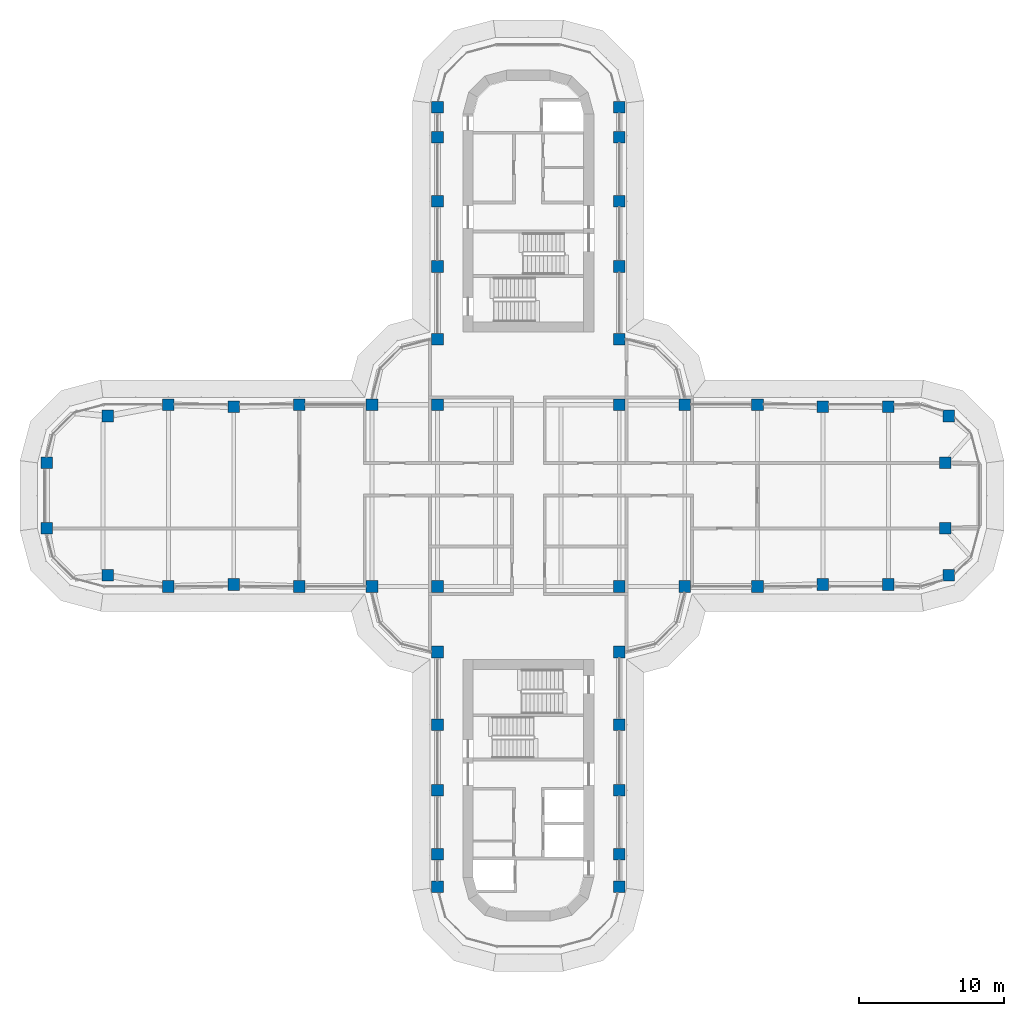
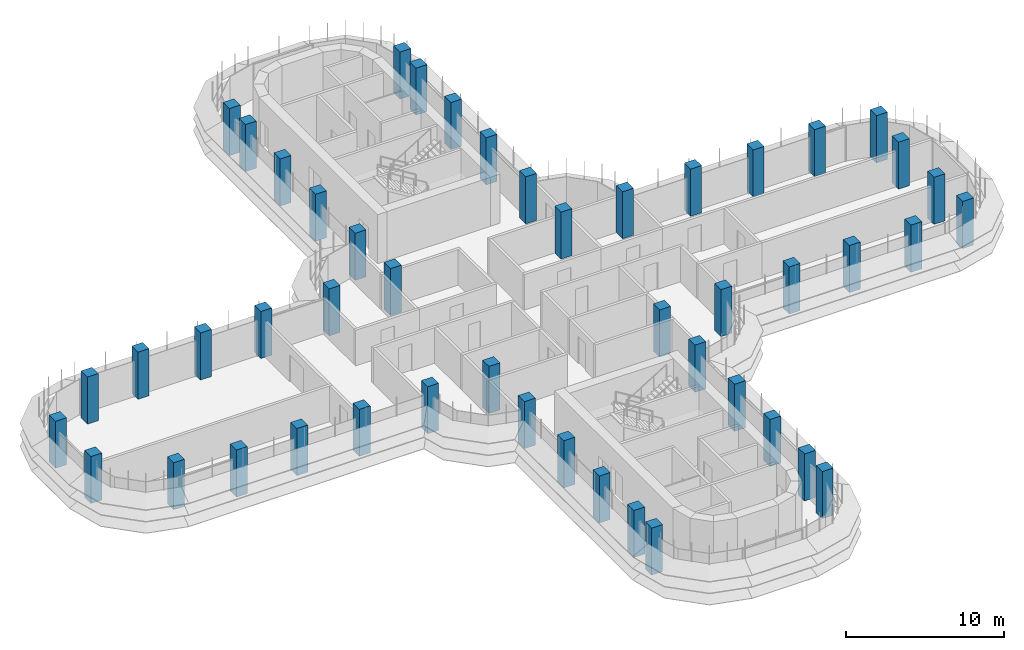
# One storey, part 1 of 19: 48 columns.
"""IFC4 building model written with IfcOpenShell, lengths in metres."""

import ifcopenshell
import ifcopenshell.guid

model = None  # the IFC model being written
_history = None  # IfcOwnerHistory: only IFC2X3 demands one
_inside = {}  # id of a spatial element -> (the spatial element, [elements in it])
_under = {}  # id of a project, library or spatial element -> (it, [spatial elements below it])
_declared = {}  # id of a project -> (the project, [libraries it declares])
_typed = {}  # id of a type object -> (the type object, [elements of that type])
_made_of = {}  # id of a material, layer set ... -> (it, [elements and type objects made of it])


def new_model(schema):
    """Start an empty IFC model of exactly this schema.

    Asked for "IFC4X3", IfcOpenShell would pick the latest addendum, in which some entities
    have other attributes; the version numbers below select the first issue.
    IFC2X3 requires an IfcOwnerHistory on every rooted entity: one is made here for all.
    """
    global model, _history
    if schema == "IFC4X3":
        model = ifcopenshell.file(schema_version=(4, 3, 0, 0))
    else:
        model = ifcopenshell.file(schema=schema)
    _inside.clear()
    _under.clear()
    _declared.clear()
    _typed.clear()
    _made_of.clear()
    _history = None
    if model.schema == "IFC2X3":
        org = make("IfcOrganization", Name="unknown")
        user = make(
            "IfcPersonAndOrganization",
            ThePerson=make("IfcPerson", FamilyName="unknown"),
            TheOrganization=org,
        )
        app = make(
            "IfcApplication",
            ApplicationDeveloper=org,
            Version="unknown",
            ApplicationFullName="unknown",
            ApplicationIdentifier="unknown",
        )
        _history = make(
            "IfcOwnerHistory",
            OwningUser=user,
            OwningApplication=app,
            ChangeAction="ADDED",
            CreationDate=0,
        )
    return model


def make(cls, **values):
    """One entity of the class cls with the attributes given. An attribute that is None is left unset."""
    return model.create_entity(
        cls, **{name: value for name, value in values.items() if value is not None}
    )


def rooted(cls, **values):
    """An entity with a GlobalId (a new one), such as an element, a storey or a relation."""
    return make(cls, GlobalId=ifcopenshell.guid.new(), OwnerHistory=_history, **values)


def si_unit(unit_type, name, prefix=None):
    """IfcSIUnit, for example si_unit("LENGTHUNIT", "METRE", prefix="MILLI")."""
    return make("IfcSIUnit", UnitType=unit_type, Prefix=prefix, Name=name)


def assignment(units):
    """IfcUnitAssignment: the units of a project."""
    return None if units is None else make("IfcUnitAssignment", Units=units)


def point(xyz):
    """IfcCartesianPoint."""
    return None if xyz is None else make("IfcCartesianPoint", Coordinates=xyz)


def direction(xyz):
    """IfcDirection."""
    return None if xyz is None else make("IfcDirection", DirectionRatios=xyz)


def frame(location, z_axis=None, x_axis=None):
    """IfcAxis2Placement3D, a coordinate frame: its origin and axes. An axis left out is left unset."""
    return make(
        "IfcAxis2Placement3D",
        Location=point(location),
        Axis=direction(z_axis),
        RefDirection=direction(x_axis),
    )


def frame_2d(location, x_axis=None):
    """IfcAxis2Placement2D, a coordinate frame in the plane: its origin and x axis."""
    return make(
        "IfcAxis2Placement2D", Location=point(location), RefDirection=direction(x_axis)
    )


def origin():
    """The frame at (0, 0, 0) with its axes left unset."""
    return frame((0.0, 0.0, 0.0))


def origin_2d():
    """The frame at (0, 0) in the plane with its x axis left unset."""
    return frame_2d((0.0, 0.0))


def place(relative_to, where):
    """IfcLocalPlacement: puts the frame where relative to a parent placement (None: the world)."""
    return make(
        "IfcLocalPlacement", PlacementRelTo=relative_to, RelativePlacement=where
    )


def context(
    kind, dimensions, precision=None, world=None, true_north=None, identifier=None
):
    """IfcGeometricRepresentationContext, for example the 3D "Model" context."""
    return make(
        "IfcGeometricRepresentationContext",
        ContextIdentifier=identifier,
        ContextType=kind,
        CoordinateSpaceDimension=dimensions,
        Precision=precision,
        WorldCoordinateSystem=world,
        TrueNorth=true_north,
    )


def subcontext(parent, identifier, kind, view, scale=None):
    """IfcGeometricRepresentationSubContext, for example "Body" below "Model"."""
    return make(
        "IfcGeometricRepresentationSubContext",
        ContextIdentifier=identifier,
        ContextType=kind,
        ParentContext=parent,
        TargetScale=scale,
        TargetView=view,
    )


def project(units=None, contexts=None):
    """IfcProject with its units and contexts."""
    return rooted(
        "IfcProject",
        Name="project",
        RepresentationContexts=contexts,
        UnitsInContext=assignment(units),
    )


def spatial(cls, under=None, at=None, **own):
    """A site, building, storey or space (cls), placed at a placement, below another one or the project."""
    s = rooted(cls, ObjectPlacement=at, **own)
    if under is not None:
        _under.setdefault(under.id(), (under, []))[1].append(s)
    return s


def profile(cls, at=None, kind="AREA", **sizes):
    """A parametric profile (cls). Its sizes go by their IFC names, for example OverallWidth=200.0."""
    return make(cls, ProfileType=kind, Position=at, **sizes)


def rectangle(**sizes):
    """IfcRectangleProfileDef."""
    return profile("IfcRectangleProfileDef", **sizes)


def extrude(swept, where, along, depth):
    """IfcExtrudedAreaSolid: the profile swept, set in the frame where, extruded along a direction by depth."""
    return make(
        "IfcExtrudedAreaSolid",
        SweptArea=swept,
        Position=where,
        ExtrudedDirection=direction(along),
        Depth=depth,
    )


def shape(context_of_items, identifier, shape_type, items):
    """IfcShapeRepresentation: the items that make up one representation, for example the "Body"."""
    return make(
        "IfcShapeRepresentation",
        ContextOfItems=context_of_items,
        RepresentationIdentifier=identifier,
        RepresentationType=shape_type,
        Items=items,
    )


def material(Name=None, Category=None):
    """IfcMaterial."""
    return make("IfcMaterial", Name=Name, Category=Category)


def material_profile(
    of_material, cross_section, Name=None, Category=None, Priority=None
):
    """IfcMaterialProfile: a cross section and its material."""
    return make(
        "IfcMaterialProfile",
        Name=Name,
        Material=of_material,
        Profile=cross_section,
        Priority=Priority,
        Category=Category,
    )


def profile_set(profiles, Name=None, composite=None):
    """IfcMaterialProfileSet."""
    return make(
        "IfcMaterialProfileSet",
        Name=Name,
        MaterialProfiles=profiles,
        CompositeProfile=composite,
    )


def made_of(thing, what):
    """Note that an element or type object is made of a material, layer set ...; save() writes the relation."""
    if what is not None:
        _made_of.setdefault(what.id(), (what, []))[1].append(thing)
    return thing


def type_object(cls, material=None, **own):
    """A type object (cls), such as IfcWallType, which elements share."""
    return made_of(rooted(cls, **own), material)


def element(
    cls,
    number,
    at=None,
    inside=None,
    cuts=None,
    type_object=None,
    material=None,
    context=None,
    identifier="Body",
    shape_type=None,
    held_by="IfcProductDefinitionShape",
    body=None,
    shapes=None,
    **own,
):
    """One element of the class cls, such as IfcWall. Its Tag is "e" and its number.

    at: its placement. inside: the storey or other place that contains it. cuts: it is an
    opening in that element (IfcRelVoidsElement). A single representation is given by context,
    identifier, shape_type and body (its items); several are given by shapes. held_by: the class
    of the entity that holds the representations. save() writes the other relations.
    """
    e = rooted(cls, Tag="e%d" % number, ObjectPlacement=at, **own)
    if body is not None:
        shapes = [shape(context, identifier, shape_type, body)]
    if shapes is not None:
        e.Representation = make(held_by, Representations=shapes)
    if inside is not None:
        _inside.setdefault(inside.id(), (inside, []))[1].append(e)
    if cuts is not None:
        rooted(
            "IfcRelVoidsElement", RelatingBuildingElement=cuts, RelatedOpeningElement=e
        )
    if type_object is not None:
        _typed.setdefault(type_object.id(), (type_object, []))[1].append(e)
    return made_of(e, material)


def aggregate(whole, parts):
    """IfcRelAggregates: a whole, such as a stair, and the parts it consists of."""
    return rooted("IfcRelAggregates", RelatingObject=whole, RelatedObjects=parts)


def save(model, path):
    """Write the relations noted so far, then the file.

    IfcRelAggregates (storeys below a building ...), IfcRelContainedInSpatialStructure (elements
    in a storey), IfcRelDefinesByType, IfcRelAssociatesMaterial and IfcRelDeclares: one each for
    every whole, place, type object, material and project.
    """
    for whole, parts in _under.values():
        aggregate(whole, parts)
    for where, things in _inside.values():
        rooted(
            "IfcRelContainedInSpatialStructure",
            RelatedElements=things,
            RelatingStructure=where,
        )
    for kind, things in _typed.values():
        rooted("IfcRelDefinesByType", RelatedObjects=things, RelatingType=kind)
    for what, things in _made_of.values():
        rooted("IfcRelAssociatesMaterial", RelatedObjects=things, RelatingMaterial=what)
    for by, libraries in _declared.values():
        rooted("IfcRelDeclares", RelatingContext=by, RelatedDefinitions=libraries)
    model.write(path)


model = new_model("IFC4")

# Units and contexts
model_context = context("Model", 3, precision=1e-05, world=origin(), true_north=direction((0.0, 1.0)))
body_context = subcontext(model_context, "Body", "Model", "MODEL_VIEW")
ifc_project = project(units=[si_unit("LENGTHUNIT", "METRE"), si_unit("AREAUNIT", "SQUARE_METRE"), si_unit("VOLUMEUNIT", "CUBIC_METRE"), si_unit("PLANEANGLEUNIT", "RADIAN"), si_unit("MASSUNIT", "GRAM", prefix="KILO")], contexts=[model_context])

# Site, building, storey
site_placement = place(None, origin())
site = spatial("IfcSite", under=ifc_project, at=site_placement, CompositionType="ELEMENT")
building_placement = place(site_placement, origin())
building = spatial("IfcBuilding", under=site, at=building_placement, Name="Zarbagh Exchange Tower", CompositionType="ELEMENT")
storey_placement = place(building_placement, frame((0.0, 0.0, 182.800048828125)))
storey = spatial("IfcBuildingStorey", under=building, at=storey_placement, Name="L44", CompositionType="ELEMENT", Elevation=182.800048828125)

# Columns
ifc_material = material(Name="Concrete C50/60", Category="concrete")
ifc_material_profile = material_profile(ifc_material, rectangle(XDim=0.800048828125, YDim=0.800048828125, at=origin_2d()), Name="RC column 800 x 800 C50/60")
ifc_profile_set = profile_set([ifc_material_profile], Name="Concrete C50/60")
column_type = type_object("IfcColumnType", Name="RC column 800 x 800 C50/60", PredefinedType="COLUMN", material=ifc_profile_set)
for number, where, z_axis, x_axis, name in (
    (1, (-33.110107421875, -2.25, 0.0), (0.0, 0.0, 1.0), (1.0, 0.0, 0.0), "C4 10/S"),
    (2, (-33.110107421875, 2.25, 0.0), (0.0, 0.0, 1.0), (1.0, 0.0, 0.0), "C4 10/T"),
    (3, (-28.907958984375, -5.47509765625, 0.0), (0.0, 0.0, 1.0), (1.0, 0.0, 0.0), "C4 11/R"),
    (4, (-28.907958984375, 5.47509765625, 0.0), (0.0, 0.0, 1.0), (1.0, 0.0, 0.0), "C4 11/U"),
    (5, (-24.75, -6.25, 0.0), (0.0, 0.0, 1.0), (1.0, 0.0, 0.0), "C4 12/R"),
    (6, (-24.75, 6.25, 0.0), (0.0, 0.0, 1.0), (1.0, 0.0, 0.0), "C4 12/U"),
    (7, (-20.25, -6.110107421875, 0.0), (0.0, 0.0, 1.0), (1.0, 0.0, 0.0), "C4 13/R"),
    (8, (-20.25, 6.110107421875, 0.0), (0.0, 0.0, 1.0), (1.0, 0.0, 0.0), "C4 13/U"),
    (9, (-15.75, -6.25, 0.0), (0.0, 0.0, 1.0), (1.0, 0.0, 0.0), "C4 14/R"),
    (10, (-15.75, 6.25, 0.0), (0.0, 0.0, 1.0), (1.0, 0.0, 0.0), "C4 14/U"),
    (11, (-10.75, -6.25, 0.0), (0.0, 0.0, 1.0), (1.0, 0.0, 0.0), "C4 15/R"),
    (12, (-10.75, 6.25, 0.0), (0.0, 0.0, 1.0), (1.0, 0.0, 0.0), "C4 15/U"),
    (13, (-6.25, -26.89990234375, 0.0), (0.0, 0.0, 1.0), (1.0, 0.0, 0.0), "C4 16/L"),
    (14, (-6.25, -24.64990234375, 0.0), (0.0, 0.0, 1.0), (1.0, 0.0, 0.0), "C4 16/M"),
    (15, (-6.25, -20.25, 0.0), (0.0, 0.0, 1.0), (1.0, 0.0, 0.0), "C4 16/N"),
    (16, (-6.25, -15.75, 0.0), (0.0, 0.0, 1.0), (1.0, 0.0, 0.0), "C4 16/P"),
    (17, (-6.25, -10.75, 0.0), (0.0, 0.0, 1.0), (1.0, 0.0, 0.0), "C4 16/Q"),
    (18, (-6.25, -6.25, 0.0), (0.0, 0.0, 1.0), (1.0, 0.0, 0.0), "C4 16/R"),
    (19, (-6.25, 6.25, 0.0), (0.0, 0.0, 1.0), (1.0, 0.0, 0.0), "C4 16/U"),
    (20, (-6.25, 10.75, 0.0), (0.0, 0.0, 1.0), (1.0, 0.0, 0.0), "C4 16/V"),
    (21, (-6.25, 15.75, 0.0), (0.0, 0.0, 1.0), (1.0, 0.0, 0.0), "C4 16/W"),
    (22, (-6.25, 20.25, 0.0), (0.0, 0.0, 1.0), (1.0, 0.0, 0.0), "C4 16/X"),
    (23, (-6.25, 24.64990234375, 0.0), (0.0, 0.0, 1.0), (1.0, 0.0, 0.0), "C4 16/Y"),
    (24, (-6.25, 26.699951171875, 0.0), (0.0, 0.0, 1.0), (1.0, 0.0, 0.0), "C4 16/Z"),
    (25, (6.25, -26.89990234375, 0.0), (0.0, 0.0, 1.0), (1.0, 0.0, 0.0), "C4 19/L"),
    (26, (6.25, -24.64990234375, 0.0), (0.0, 0.0, 1.0), (1.0, 0.0, 0.0), "C4 19/M"),
    (27, (6.25, -20.25, 0.0), (0.0, 0.0, 1.0), (1.0, 0.0, 0.0), "C4 19/N"),
    (28, (6.25, -15.75, 0.0), (0.0, 0.0, 1.0), (1.0, 0.0, 0.0), "C4 19/P"),
    (29, (6.25, -10.75, 0.0), (0.0, 0.0, 1.0), (1.0, 0.0, 0.0), "C4 19/Q"),
    (30, (6.25, -6.25, 0.0), (0.0, 0.0, 1.0), (1.0, 0.0, 0.0), "C4 19/R"),
    (31, (6.25, 6.25, 0.0), (0.0, 0.0, 1.0), (1.0, 0.0, 0.0), "C4 19/U"),
    (32, (6.25, 10.75, 0.0), (0.0, 0.0, 1.0), (1.0, 0.0, 0.0), "C4 19/V"),
    (33, (6.25, 15.75, 0.0), (0.0, 0.0, 1.0), (1.0, 0.0, 0.0), "C4 19/W"),
    (34, (6.25, 20.25, 0.0), (0.0, 0.0, 1.0), (1.0, 0.0, 0.0), "C4 19/X"),
    (35, (6.25, 24.64990234375, 0.0), (0.0, 0.0, 1.0), (1.0, 0.0, 0.0), "C4 19/Y"),
    (36, (6.25, 26.699951171875, 0.0), (0.0, 0.0, 1.0), (1.0, 0.0, 0.0), "C4 19/Z"),
    (37, (10.75, -6.25, 0.0), (0.0, 0.0, 1.0), (1.0, 0.0, 0.0), "C4 20/R"),
    (38, (10.75, 6.25, 0.0), (0.0, 0.0, 1.0), (1.0, 0.0, 0.0), "C4 20/U"),
    (39, (15.75, -6.25, 0.0), (0.0, 0.0, 1.0), (1.0, 0.0, 0.0), "C4 21/R"),
    (40, (15.75, 6.25, 0.0), (0.0, 0.0, 1.0), (1.0, 0.0, 0.0), "C4 21/U"),
    (41, (20.25, -6.110107421875, 0.0), (0.0, 0.0, 1.0), (1.0, 0.0, 0.0), "C4 22/R"),
    (42, (20.25, 6.110107421875, 0.0), (0.0, 0.0, 1.0), (1.0, 0.0, 0.0), "C4 22/U"),
    (43, (24.75, -6.110107421875, 0.0), (0.0, 0.0, 1.0), (1.0, 0.0, 0.0), "C4 23/R"),
    (44, (24.75, 6.110107421875, 0.0), (0.0, 0.0, 1.0), (1.0, 0.0, 0.0), "C4 23/U"),
    (45, (28.907958984375, -5.47509765625, 0.0), (0.0, 0.0, 1.0), (1.0, 0.0, 0.0), "C4 24/R"),
    (46, (28.669921875, -2.25, 0.0), (0.0, 0.0, 1.0), (1.0, 0.0, 0.0), "C4 24/S"),
    (47, (28.669921875, 2.25, 0.0), (0.0, 0.0, 1.0), (1.0, 0.0, 0.0), "C4 24/T"),
    (48, (28.907958984375, 5.47509765625, 0.0), (0.0, 0.0, 1.0), (1.0, 0.0, 0.0), "C4 24/U"),
):
    element("IfcColumn", number, at=place(storey_placement, frame(where, z_axis=z_axis, x_axis=x_axis)), inside=storey, type_object=column_type, Name=name, PredefinedType="COLUMN", context=body_context, shape_type="SweptSolid", body=[
        extrude(rectangle(XDim=0.800048828125, YDim=0.800048828125, at=origin_2d()), origin(), (0.0, 0.0, 1.0), 3.64990234375),
    ])

save(model, "model.ifc")
